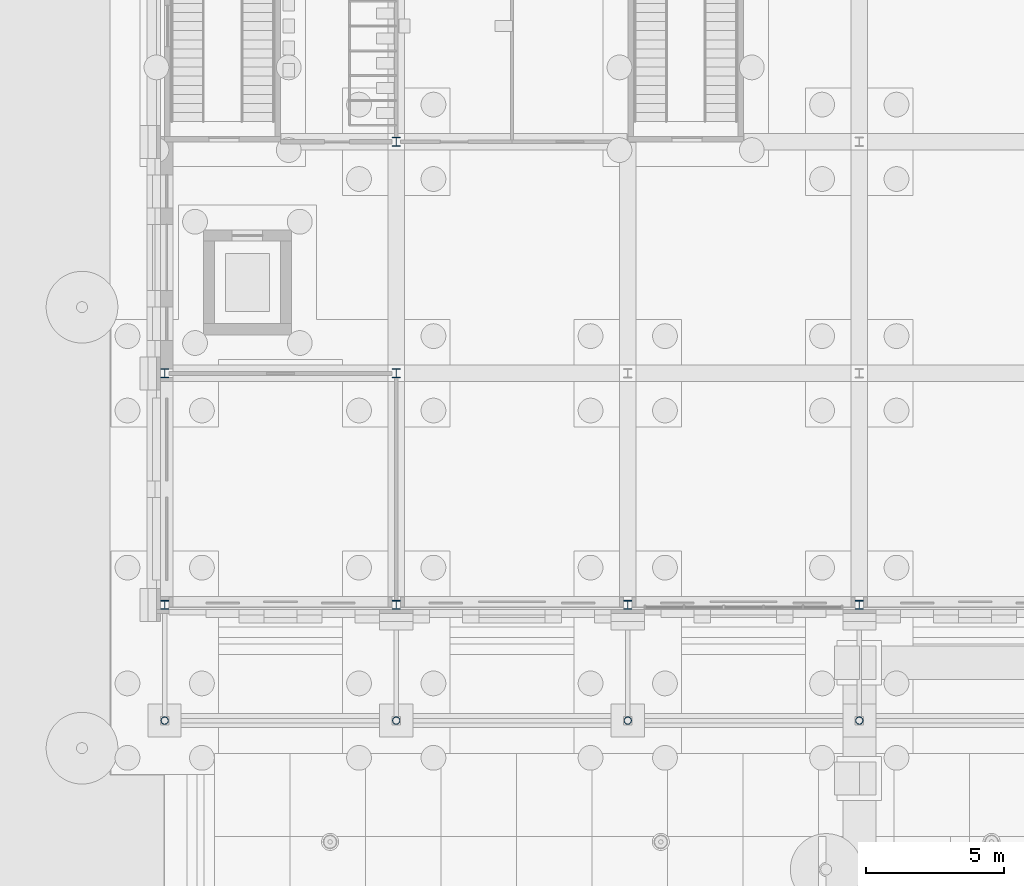
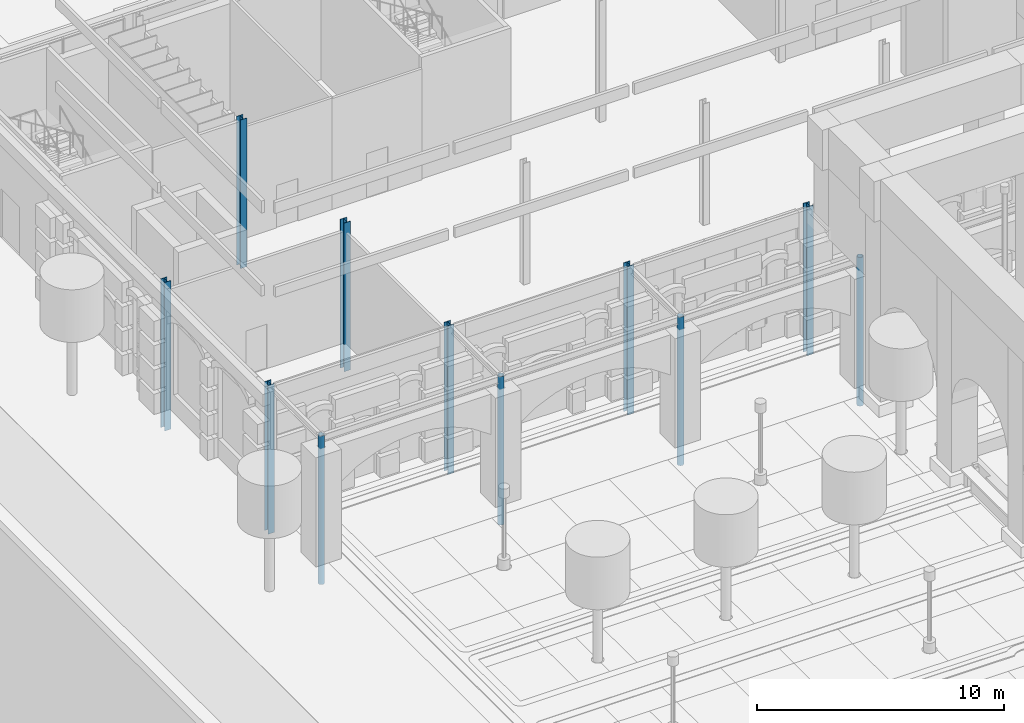
# One storey, part 9 of 222: 11 columns.
"""IFC4 building model written with IfcOpenShell, lengths in metres."""

import ifcopenshell
import ifcopenshell.guid

model = None  # the IFC model being written
_history = None  # IfcOwnerHistory: only IFC2X3 demands one
_inside = {}  # id of a spatial element -> (the spatial element, [elements in it])
_under = {}  # id of a project, library or spatial element -> (it, [spatial elements below it])
_declared = {}  # id of a project -> (the project, [libraries it declares])
_typed = {}  # id of a type object -> (the type object, [elements of that type])
_made_of = {}  # id of a material, layer set ... -> (it, [elements and type objects made of it])


def new_model(schema):
    """Start an empty IFC model of exactly this schema.

    Asked for "IFC4X3", IfcOpenShell would pick the latest addendum, in which some entities
    have other attributes; the version numbers below select the first issue.
    IFC2X3 requires an IfcOwnerHistory on every rooted entity: one is made here for all.
    """
    global model, _history
    if schema == "IFC4X3":
        model = ifcopenshell.file(schema_version=(4, 3, 0, 0))
    else:
        model = ifcopenshell.file(schema=schema)
    _inside.clear()
    _under.clear()
    _declared.clear()
    _typed.clear()
    _made_of.clear()
    _history = None
    if model.schema == "IFC2X3":
        org = make("IfcOrganization", Name="unknown")
        user = make(
            "IfcPersonAndOrganization",
            ThePerson=make("IfcPerson", FamilyName="unknown"),
            TheOrganization=org,
        )
        app = make(
            "IfcApplication",
            ApplicationDeveloper=org,
            Version="unknown",
            ApplicationFullName="unknown",
            ApplicationIdentifier="unknown",
        )
        _history = make(
            "IfcOwnerHistory",
            OwningUser=user,
            OwningApplication=app,
            ChangeAction="ADDED",
            CreationDate=0,
        )
    return model


def make(cls, **values):
    """One entity of the class cls with the attributes given. An attribute that is None is left unset."""
    return model.create_entity(
        cls, **{name: value for name, value in values.items() if value is not None}
    )


def rooted(cls, **values):
    """An entity with a GlobalId (a new one), such as an element, a storey or a relation."""
    return make(cls, GlobalId=ifcopenshell.guid.new(), OwnerHistory=_history, **values)


def si_unit(unit_type, name, prefix=None):
    """IfcSIUnit, for example si_unit("LENGTHUNIT", "METRE", prefix="MILLI")."""
    return make("IfcSIUnit", UnitType=unit_type, Prefix=prefix, Name=name)


def assignment(units):
    """IfcUnitAssignment: the units of a project."""
    return None if units is None else make("IfcUnitAssignment", Units=units)


def point(xyz):
    """IfcCartesianPoint."""
    return None if xyz is None else make("IfcCartesianPoint", Coordinates=xyz)


def direction(xyz):
    """IfcDirection."""
    return None if xyz is None else make("IfcDirection", DirectionRatios=xyz)


def frame(location, z_axis=None, x_axis=None):
    """IfcAxis2Placement3D, a coordinate frame: its origin and axes. An axis left out is left unset."""
    return make(
        "IfcAxis2Placement3D",
        Location=point(location),
        Axis=direction(z_axis),
        RefDirection=direction(x_axis),
    )


def frame_2d(location, x_axis=None):
    """IfcAxis2Placement2D, a coordinate frame in the plane: its origin and x axis."""
    return make(
        "IfcAxis2Placement2D", Location=point(location), RefDirection=direction(x_axis)
    )


def origin():
    """The frame at (0, 0, 0) with its axes left unset."""
    return frame((0.0, 0.0, 0.0))


def origin_2d():
    """The frame at (0, 0) in the plane with its x axis left unset."""
    return frame_2d((0.0, 0.0))


def place(relative_to, where):
    """IfcLocalPlacement: puts the frame where relative to a parent placement (None: the world)."""
    return make(
        "IfcLocalPlacement", PlacementRelTo=relative_to, RelativePlacement=where
    )


def context(
    kind, dimensions, precision=None, world=None, true_north=None, identifier=None
):
    """IfcGeometricRepresentationContext, for example the 3D "Model" context."""
    return make(
        "IfcGeometricRepresentationContext",
        ContextIdentifier=identifier,
        ContextType=kind,
        CoordinateSpaceDimension=dimensions,
        Precision=precision,
        WorldCoordinateSystem=world,
        TrueNorth=true_north,
    )


def subcontext(parent, identifier, kind, view, scale=None):
    """IfcGeometricRepresentationSubContext, for example "Body" below "Model"."""
    return make(
        "IfcGeometricRepresentationSubContext",
        ContextIdentifier=identifier,
        ContextType=kind,
        ParentContext=parent,
        TargetScale=scale,
        TargetView=view,
    )


def project(units=None, contexts=None):
    """IfcProject with its units and contexts."""
    return rooted(
        "IfcProject",
        Name="project",
        RepresentationContexts=contexts,
        UnitsInContext=assignment(units),
    )


def spatial(cls, under=None, at=None, **own):
    """A site, building, storey or space (cls), placed at a placement, below another one or the project."""
    s = rooted(cls, ObjectPlacement=at, **own)
    if under is not None:
        _under.setdefault(under.id(), (under, []))[1].append(s)
    return s


def profile(cls, at=None, kind="AREA", **sizes):
    """A parametric profile (cls). Its sizes go by their IFC names, for example OverallWidth=200.0."""
    return make(cls, ProfileType=kind, Position=at, **sizes)


def hollow_circle(**sizes):
    """IfcCircleHollowProfileDef."""
    return profile("IfcCircleHollowProfileDef", **sizes)


def i_section(**sizes):
    """IfcIShapeProfileDef."""
    return profile("IfcIShapeProfileDef", **sizes)


def extrude(swept, where, along, depth):
    """IfcExtrudedAreaSolid: the profile swept, set in the frame where, extruded along a direction by depth."""
    return make(
        "IfcExtrudedAreaSolid",
        SweptArea=swept,
        Position=where,
        ExtrudedDirection=direction(along),
        Depth=depth,
    )


def shape(context_of_items, identifier, shape_type, items):
    """IfcShapeRepresentation: the items that make up one representation, for example the "Body"."""
    return make(
        "IfcShapeRepresentation",
        ContextOfItems=context_of_items,
        RepresentationIdentifier=identifier,
        RepresentationType=shape_type,
        Items=items,
    )


def material(Name=None, Category=None):
    """IfcMaterial."""
    return make("IfcMaterial", Name=Name, Category=Category)


def material_profile(
    of_material, cross_section, Name=None, Category=None, Priority=None
):
    """IfcMaterialProfile: a cross section and its material."""
    return make(
        "IfcMaterialProfile",
        Name=Name,
        Material=of_material,
        Profile=cross_section,
        Priority=Priority,
        Category=Category,
    )


def profile_set(profiles, Name=None, composite=None):
    """IfcMaterialProfileSet."""
    return make(
        "IfcMaterialProfileSet",
        Name=Name,
        MaterialProfiles=profiles,
        CompositeProfile=composite,
    )


def made_of(thing, what):
    """Note that an element or type object is made of a material, layer set ...; save() writes the relation."""
    if what is not None:
        _made_of.setdefault(what.id(), (what, []))[1].append(thing)
    return thing


def type_object(cls, material=None, **own):
    """A type object (cls), such as IfcWallType, which elements share."""
    return made_of(rooted(cls, **own), material)


def element(
    cls,
    number,
    at=None,
    inside=None,
    cuts=None,
    type_object=None,
    material=None,
    context=None,
    identifier="Body",
    shape_type=None,
    held_by="IfcProductDefinitionShape",
    body=None,
    shapes=None,
    **own,
):
    """One element of the class cls, such as IfcWall. Its Tag is "e" and its number.

    at: its placement. inside: the storey or other place that contains it. cuts: it is an
    opening in that element (IfcRelVoidsElement). A single representation is given by context,
    identifier, shape_type and body (its items); several are given by shapes. held_by: the class
    of the entity that holds the representations. save() writes the other relations.
    """
    e = rooted(cls, Tag="e%d" % number, ObjectPlacement=at, **own)
    if body is not None:
        shapes = [shape(context, identifier, shape_type, body)]
    if shapes is not None:
        e.Representation = make(held_by, Representations=shapes)
    if inside is not None:
        _inside.setdefault(inside.id(), (inside, []))[1].append(e)
    if cuts is not None:
        rooted(
            "IfcRelVoidsElement", RelatingBuildingElement=cuts, RelatedOpeningElement=e
        )
    if type_object is not None:
        _typed.setdefault(type_object.id(), (type_object, []))[1].append(e)
    return made_of(e, material)


def aggregate(whole, parts):
    """IfcRelAggregates: a whole, such as a stair, and the parts it consists of."""
    return rooted("IfcRelAggregates", RelatingObject=whole, RelatedObjects=parts)


def save(model, path):
    """Write the relations noted so far, then the file.

    IfcRelAggregates (storeys below a building ...), IfcRelContainedInSpatialStructure (elements
    in a storey), IfcRelDefinesByType, IfcRelAssociatesMaterial and IfcRelDeclares: one each for
    every whole, place, type object, material and project.
    """
    for whole, parts in _under.values():
        aggregate(whole, parts)
    for where, things in _inside.values():
        rooted(
            "IfcRelContainedInSpatialStructure",
            RelatedElements=things,
            RelatingStructure=where,
        )
    for kind, things in _typed.values():
        rooted("IfcRelDefinesByType", RelatedObjects=things, RelatingType=kind)
    for what, things in _made_of.values():
        rooted("IfcRelAssociatesMaterial", RelatedObjects=things, RelatingMaterial=what)
    for by, libraries in _declared.values():
        rooted("IfcRelDeclares", RelatingContext=by, RelatedDefinitions=libraries)
    model.write(path)


model = new_model("IFC4")

# Units and contexts
model_context = context("Model", 3, precision=1e-05, world=origin(), true_north=direction((0.0, 1.0)))
body_context = subcontext(model_context, "Body", "Model", "MODEL_VIEW")
ifc_project = project(units=[si_unit("LENGTHUNIT", "METRE"), si_unit("AREAUNIT", "SQUARE_METRE"), si_unit("VOLUMEUNIT", "CUBIC_METRE"), si_unit("PLANEANGLEUNIT", "RADIAN"), si_unit("MASSUNIT", "GRAM", prefix="KILO")], contexts=[model_context])

# Site, building, storey
site_placement = place(None, origin())
site = spatial("IfcSite", under=ifc_project, at=site_placement, CompositionType="ELEMENT")
building_placement = place(site_placement, origin())
building = spatial("IfcBuilding", under=site, at=building_placement, Name="Sava Quay Ferry Terminal", CompositionType="ELEMENT")
storey_placement = place(building_placement, origin())
storey = spatial("IfcBuildingStorey", under=building, at=storey_placement, Name="L00", CompositionType="ELEMENT", Elevation=0.0)

# Columns
ifc_material_1 = material(Name="Steel S355", Category="steel")
ifc_material_profile_1 = material_profile(ifc_material_1, hollow_circle(Radius=0.136474609375, WallThickness=0.012451171875, at=origin_2d()), Name="CHS 273 x 12.5")
ifc_profile_set_1 = profile_set([ifc_material_profile_1], Name="Steel S355")
column_type_1 = type_object("IfcColumnType", Name="Column CHS 273 x 12.5", PredefinedType="COLUMN", material=ifc_profile_set_1)
for number, where, z_axis, x_axis, name in (
    (1, (0.0, 21.0, -1.35009765625), (0.0, 0.0, 1.0), (1.0, 0.0, 0.0), "Arcade column 0/21"),
    (2, (8.39990234375, 21.0, -1.35009765625), (0.0, 0.0, 1.0), (1.0, 0.0, 0.0), "Arcade column 8.4/21"),
    (3, (16.800048828125, 21.0, -1.35009765625), (0.0, 0.0, 1.0), (1.0, 0.0, 0.0), "Arcade column 16.8/21"),
    (4, (25.199951171875, 21.0, -1.35009765625), (0.0, 0.0, 1.0), (1.0, 0.0, 0.0), "Arcade column 25.2/21"),
):
    element("IfcColumn", number, at=place(storey_placement, frame(where, z_axis=z_axis, x_axis=x_axis)), inside=storey, type_object=column_type_1, Name=name, PredefinedType="COLUMN", context=body_context, shape_type="SweptSolid", body=[
        extrude(hollow_circle(Radius=0.136474609375, WallThickness=0.012451171875, at=origin_2d()), origin(), (0.0, 0.0, 1.0), 7.35009765625),
    ])
ifc_material_2 = material(Name="Steel S355", Category="steel")
ifc_material_profile_2 = material_profile(ifc_material_2, i_section(OverallWidth=0.300048828125, OverallDepth=0.320068359375, WebThickness=0.011474609375, FlangeThickness=0.0205078125, at=origin_2d()), Name="HE 320 B")
ifc_profile_set_2 = profile_set([ifc_material_profile_2], Name="Steel S355")
column_type_2 = type_object("IfcColumnType", Name="Column HE 320 B", PredefinedType="COLUMN", material=ifc_profile_set_2)
for number, where, z_axis, x_axis, name in (
    (5, (0.0, 25.199951171875, -1.35009765625), (0.0, 0.0, 1.0), (1.0, 0.0, 0.0), "Column L00 0/25.2"),
    (6, (0.0, 33.60009765625, -1.35009765625), (0.0, 0.0, 1.0), (1.0, 0.0, 0.0), "Column L00 0/33.6"),
    (7, (8.39990234375, 25.199951171875, -1.35009765625), (0.0, 0.0, 1.0), (1.0, 0.0, 0.0), "Column L00 8.4/25.2"),
    (8, (8.39990234375, 33.60009765625, -1.35009765625), (0.0, 0.0, 1.0), (1.0, 0.0, 0.0), "Column L00 8.4/33.6"),
    (9, (8.39990234375, 42.0, -1.35009765625), (0.0, 0.0, 1.0), (1.0, 0.0, 0.0), "Column L00 8.4/42"),
    (10, (16.800048828125, 25.199951171875, -1.35009765625), (0.0, 0.0, 1.0), (1.0, 0.0, 0.0), "Column L00 16.8/25.2"),
    (11, (25.199951171875, 25.199951171875, -1.35009765625), (0.0, 0.0, 1.0), (1.0, 0.0, 0.0), "Column L00 25.2/25.2"),
):
    element("IfcColumn", number, at=place(storey_placement, frame(where, z_axis=z_axis, x_axis=x_axis)), inside=storey, type_object=column_type_2, Name=name, PredefinedType="COLUMN", context=body_context, shape_type="SweptSolid", body=[
        extrude(i_section(OverallWidth=0.300048828125, OverallDepth=0.320068359375, WebThickness=0.011474609375, FlangeThickness=0.0205078125, at=origin_2d()), origin(), (0.0, 0.0, 1.0), 7.35009765625),
    ])

save(model, "model.ifc")
